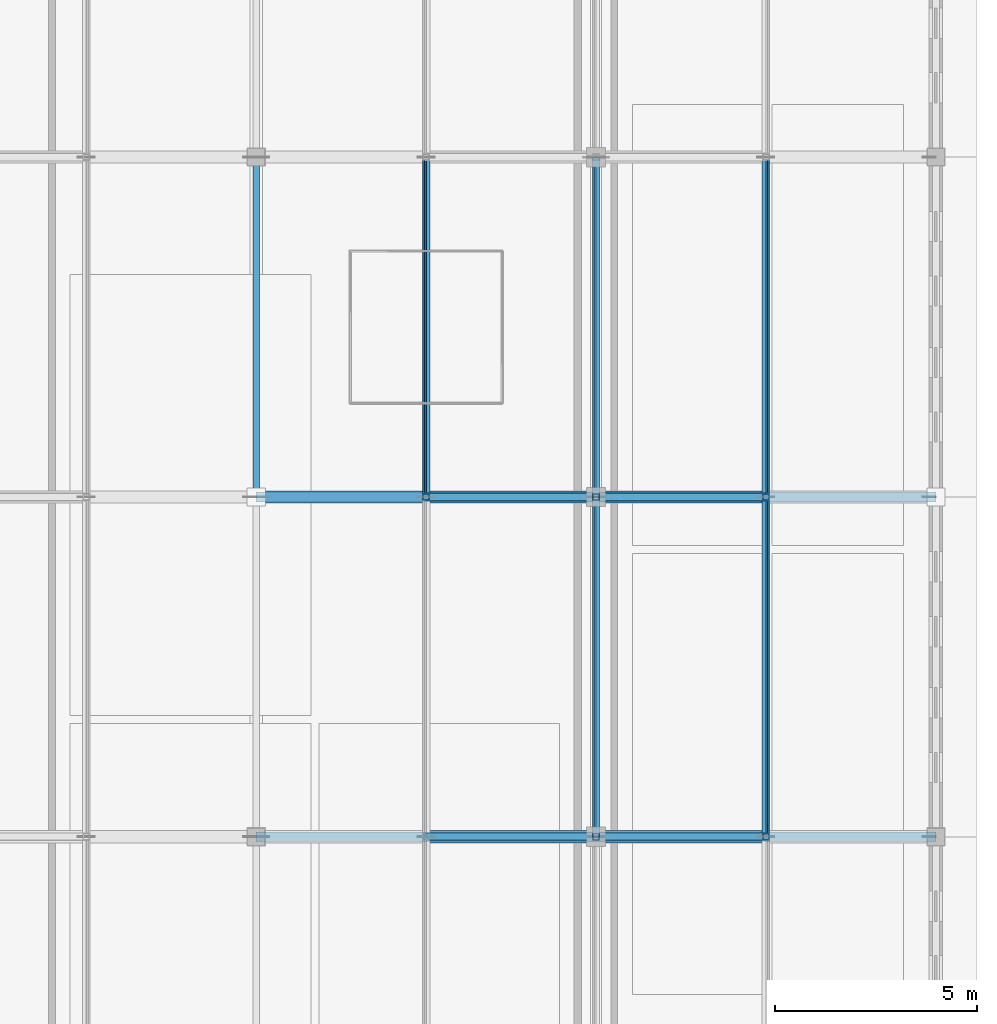
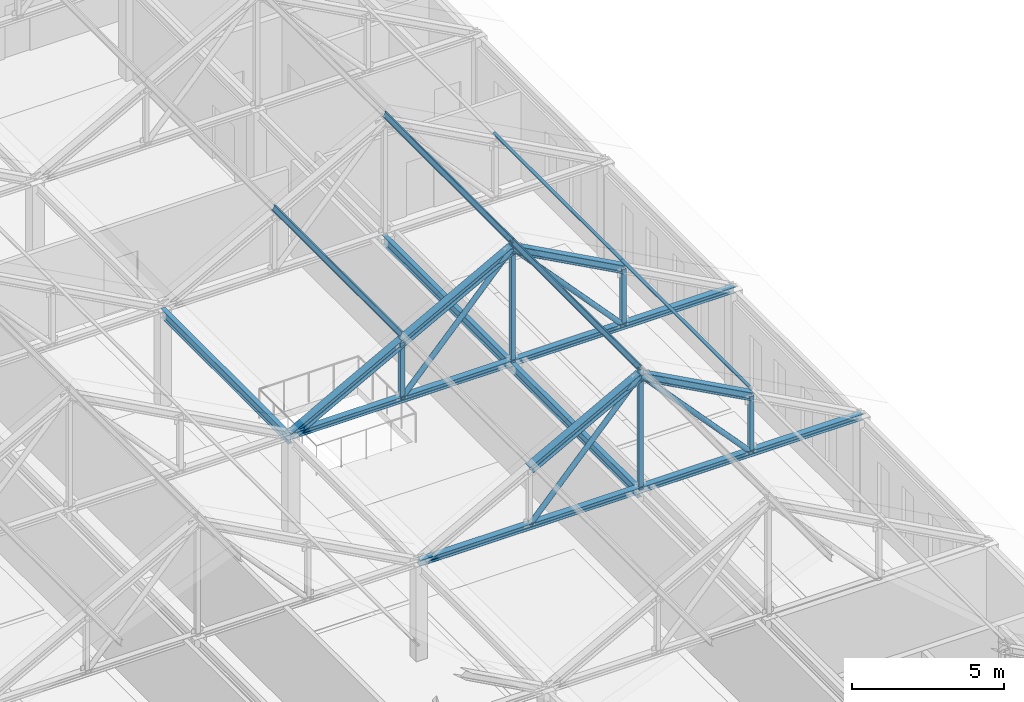
# One storey, part 8 of 36: 21 members, 3 beams.
"""IFC4 building model written with IfcOpenShell, lengths in metres."""

from ifc_helpers import new_model, si_unit, direction, frame, origin, origin_2d, place, context, subcontext, project, spatial, hollow_rectangle, hollow_circle, i_section, extrude, material, material_profile, profile_set, type_object, element, save


model = new_model("IFC4")

# Units and contexts
model_context = context("Model", 3, precision=1e-05, world=origin(), true_north=direction((0.0, 1.0)))
body_context = subcontext(model_context, "Body", "Model", "MODEL_VIEW")
ifc_project = project(units=[si_unit("LENGTHUNIT", "METRE"), si_unit("AREAUNIT", "SQUARE_METRE"), si_unit("VOLUMEUNIT", "CUBIC_METRE"), si_unit("PLANEANGLEUNIT", "RADIAN"), si_unit("MASSUNIT", "GRAM", prefix="KILO")], contexts=[model_context])

# Site, building, storey
site_placement = place(None, origin())
site = spatial("IfcSite", under=ifc_project, at=site_placement, CompositionType="ELEMENT")
building_placement = place(site_placement, origin())
building = spatial("IfcBuilding", under=site, at=building_placement, Name="Kveldsbrygga Polytechnic", CompositionType="ELEMENT")
storey_placement = place(building_placement, frame((0.0, 0.0, 26.179931640625)))
storey = spatial("IfcBuildingStorey", under=building, at=storey_placement, Name="L06", CompositionType="ELEMENT", Elevation=26.179931640625)

# Beams
ifc_material = material(Name="Steel S355", Category="steel")
ifc_material_profile_1 = material_profile(ifc_material, i_section(OverallWidth=0.169921875, OverallDepth=0.360107421875, WebThickness=0.008056640625, FlangeThickness=0.0126953125, FilletRadius=0.01806640625, at=origin_2d()), Name="IPE 360")
ifc_profile_set_1 = profile_set([ifc_material_profile_1], Name="Steel S355")
beam_type = type_object("IfcBeamType", Name="BM-STL-IPE360", PredefinedType="BEAM", material=ifc_profile_set_1)
beam_1_placement = place(storey_placement, frame((142.800048828125, 58.800048828125, 3.66015625), z_axis=(0.0, 1.0, 0.0), x_axis=(-1.0, 0.0, 0.0)))
element("IfcBeam", 1, at=beam_1_placement, inside=storey, type_object=beam_type, Name="Attic Eaves Tie Beam BMY-L06-TOP-17-07", PredefinedType="BEAM", context=body_context, shape_type="SweptSolid", body=[
    extrude(i_section(OverallWidth=0.169921875, OverallDepth=0.360107421875, WebThickness=0.008056640625, FlangeThickness=0.0126953125, FilletRadius=0.01806640625, at=origin_2d()), origin(), (0.0, 0.0, 1.0), 8.39990234375),
])
beam_2_placement = place(storey_placement, frame((151.199951171875, 50.39990234375, 3.66015625), z_axis=(0.0, 1.0, 0.0), x_axis=(-1.0, 0.0, 0.0)))
element("IfcBeam", 2, at=beam_2_placement, inside=storey, type_object=beam_type, Name="Attic Eaves Tie Beam BMY-L06-TOP-18-06", PredefinedType="BEAM", context=body_context, shape_type="SweptSolid", body=[
    extrude(i_section(OverallWidth=0.169921875, OverallDepth=0.360107421875, WebThickness=0.008056640625, FlangeThickness=0.0126953125, FilletRadius=0.01806640625, at=origin_2d()), origin(), (0.0, 0.0, 1.0), 8.400146484375),
])
beam_3_placement = place(storey_placement, frame((151.199951171875, 58.800048828125, 3.66015625), z_axis=(0.0, 1.0, 0.0), x_axis=(-1.0, 0.0, 0.0)))
element("IfcBeam", 3, at=beam_3_placement, inside=storey, type_object=beam_type, Name="Attic Eaves Tie Beam BMY-L06-TOP-18-07", PredefinedType="BEAM", context=body_context, shape_type="SweptSolid", body=[
    extrude(i_section(OverallWidth=0.169921875, OverallDepth=0.360107421875, WebThickness=0.008056640625, FlangeThickness=0.0126953125, FilletRadius=0.01806640625, at=origin_2d()), origin(), (0.0, 0.0, 1.0), 8.39990234375),
])

# Members
ifc_material_profile_2 = material_profile(ifc_material, i_section(OverallWidth=0.10009765625, OverallDepth=0.199951171875, WebThickness=0.005615234375, FlangeThickness=0.008544921875, FilletRadius=0.011962890625, at=origin_2d()), Name="IPE 200")
ifc_profile_set_2 = profile_set([ifc_material_profile_2], Name="Steel S355")
member_type_1 = type_object("IfcMemberType", Name="PRL-IPE200", PredefinedType="PURLIN", material=ifc_profile_set_2)
for number, where, z_axis, x_axis, name in (
    (4, (151.199951171875, 50.39990234375, 8.668701171875), (0.0, 1.0, 0.0), (-0.879292204483, 0.0, 0.476282709256), "Roof Purlin V4M2-PRL-5-2"),
    (5, (155.39990234375, 50.39990234375, 6.393798828125), (0.0, 1.0, 0.0), (-0.879292204483, 0.0, -0.476282709256), "Roof Purlin V4M2-PRL-5-3"),
):
    element("IfcMember", number, at=place(storey_placement, frame(where, z_axis=z_axis, x_axis=x_axis)), inside=storey, type_object=member_type_1, Name=name, PredefinedType="PURLIN", context=body_context, shape_type="SweptSolid", body=[
        extrude(i_section(OverallWidth=0.10009765625, OverallDepth=0.199951171875, WebThickness=0.005615234375, FlangeThickness=0.008544921875, FilletRadius=0.011962890625, at=origin_2d()), origin(), (0.0, 0.0, 1.0), 8.400146484375),
    ])
for number, where, z_axis, x_axis, name in (
    (6, (147.0, 58.800048828125, 6.393798828125), (0.0, 1.0, 0.0), (-0.879292204483, 0.0, 0.476282709256), "Roof Purlin V4M2-PRL-6-1"),
    (7, (151.199951171875, 58.800048828125, 8.668701171875), (0.0, 1.0, 0.0), (-0.879292204483, 0.0, 0.476282709256), "Roof Purlin V4M2-PRL-6-2"),
    (8, (155.39990234375, 58.800048828125, 6.393798828125), (0.0, 1.0, 0.0), (-0.879292204483, 0.0, -0.476282709256), "Roof Purlin V4M2-PRL-6-3"),
):
    element("IfcMember", number, at=place(storey_placement, frame(where, z_axis=z_axis, x_axis=x_axis)), inside=storey, type_object=member_type_1, Name=name, PredefinedType="PURLIN", context=body_context, shape_type="SweptSolid", body=[
        extrude(i_section(OverallWidth=0.10009765625, OverallDepth=0.199951171875, WebThickness=0.005615234375, FlangeThickness=0.008544921875, FilletRadius=0.011962890625, at=origin_2d()), origin(), (0.0, 0.0, 1.0), 8.39990234375),
    ])
ifc_material_profile_3 = material_profile(ifc_material, i_section(OverallWidth=0.239990234375, OverallDepth=0.22998046875, WebThickness=0.007568359375, FlangeThickness=0.011962890625, FilletRadius=0.02099609375, at=origin_2d()), Name="HEA 240")
ifc_profile_set_3 = profile_set([ifc_material_profile_3], Name="Steel S355")
member_type_2 = type_object("IfcMemberType", Name="TR-BOT-HEA240", PredefinedType="CHORD", material=ifc_profile_set_3)
for number, where, z_axis, x_axis, name in (
    (9, (142.800048828125, 50.39990234375, 3.840087890625), (1.0, 0.0, 0.0), (0.0, 1.0, 0.0), "Truss Bottom Chord V4M2-T05-BC-1"),
    (10, (142.800048828125, 58.800048828125, 3.840087890625), (1.0, 0.0, 0.0), (0.0, 1.0, 0.0), "Truss Bottom Chord V4M2-T06-BC-1"),
):
    element("IfcMember", number, at=place(storey_placement, frame(where, z_axis=z_axis, x_axis=x_axis)), inside=storey, type_object=member_type_2, Name=name, PredefinedType="CHORD", context=body_context, shape_type="SweptSolid", body=[
        extrude(i_section(OverallWidth=0.239990234375, OverallDepth=0.22998046875, WebThickness=0.007568359375, FlangeThickness=0.011962890625, FilletRadius=0.02099609375, at=origin_2d()), origin(), (0.0, 0.0, 1.0), 16.800048828125),
    ])
ifc_material_profile_4 = material_profile(ifc_material, hollow_circle(Radius=0.096923828125, WallThickness=0.010009765625, at=origin_2d()), Name="CHS 193.7x10.0")
ifc_profile_set_4 = profile_set([ifc_material_profile_4], Name="Steel S355")
member_type_3 = type_object("IfcMemberType", Name="TR-DIAG-CHS194", PredefinedType="BRACE", material=ifc_profile_set_4)
for number, where, z_axis, x_axis, name in (
    (11, (147.0, 50.39990234375, 3.840087890625), (0.678271914864, 0.0, 0.734811002576), (0.0, 1.0, 0.0), "Truss Diagonal V4M2-T05-DG-2"),
    (12, (151.199951171875, 50.39990234375, 8.39013671875), (0.678271914864, 0.0, -0.734811002576), (0.0, 1.0, 0.0), "Truss Diagonal V4M2-T05-DG-3"),
    (13, (147.0, 58.800048828125, 3.840087890625), (0.678271914864, 0.0, 0.734811002576), (0.0, 1.0, 0.0), "Truss Diagonal V4M2-T06-DG-2"),
    (14, (151.199951171875, 58.800048828125, 8.39013671875), (0.678271914864, 0.0, -0.734811002576), (0.0, 1.0, 0.0), "Truss Diagonal V4M2-T06-DG-3"),
):
    element("IfcMember", number, at=place(storey_placement, frame(where, z_axis=z_axis, x_axis=x_axis)), inside=storey, type_object=member_type_3, Name=name, PredefinedType="BRACE", context=body_context, shape_type="SweptSolid", body=[
        extrude(hollow_circle(Radius=0.096923828125, WallThickness=0.010009765625, at=origin_2d()), origin(), (0.0, 0.0, 1.0), 6.192138671875),
    ])
ifc_material_profile_5 = material_profile(ifc_material, hollow_rectangle(XDim=0.159912109375, YDim=0.159912109375, WallThickness=0.010009765625, at=origin_2d()), Name="SHS 160x160x10.0")
ifc_profile_set_5 = profile_set([ifc_material_profile_5], Name="Steel S355")
member_type_4 = type_object("IfcMemberType", Name="TR-POST-SHS160", PredefinedType="STRUT", material=ifc_profile_set_5)
member_1_placement = place(storey_placement, frame((151.199951171875, 50.39990234375, 3.840087890625), z_axis=(0.0, 0.0, 1.0), x_axis=(1.0, 0.0, 0.0)))
element("IfcMember", 15, at=member_1_placement, inside=storey, type_object=member_type_4, Name="Truss Vertical V4M2-T05-VT-2", PredefinedType="STRUT", context=body_context, shape_type="SweptSolid", body=[
    extrude(hollow_rectangle(XDim=0.159912109375, YDim=0.159912109375, WallThickness=0.010009765625, at=origin_2d()), origin(), (0.0, 0.0, 1.0), 4.82861328125),
])
for number, where, z_axis, x_axis, name in (
    (16, (155.39990234375, 50.39990234375, 3.840087890625), (0.0, 0.0, 1.0), (1.0, 0.0, 0.0), "Truss Vertical V4M2-T05-VT-3"),
    (17, (147.0, 58.800048828125, 3.840087890625), (0.0, 0.0, 1.0), (1.0, 0.0, 0.0), "Truss Vertical V4M2-T06-VT-1"),
):
    element("IfcMember", number, at=place(storey_placement, frame(where, z_axis=z_axis, x_axis=x_axis)), inside=storey, type_object=member_type_4, Name=name, PredefinedType="STRUT", context=body_context, shape_type="SweptSolid", body=[
        extrude(hollow_rectangle(XDim=0.159912109375, YDim=0.159912109375, WallThickness=0.010009765625, at=origin_2d()), origin(), (0.0, 0.0, 1.0), 2.27490234375),
    ])
member_2_placement = place(storey_placement, frame((151.199951171875, 58.800048828125, 3.840087890625), z_axis=(0.0, 0.0, 1.0), x_axis=(1.0, 0.0, 0.0)))
element("IfcMember", 18, at=member_2_placement, inside=storey, type_object=member_type_4, Name="Truss Vertical V4M2-T06-VT-2", PredefinedType="STRUT", context=body_context, shape_type="SweptSolid", body=[
    extrude(hollow_rectangle(XDim=0.159912109375, YDim=0.159912109375, WallThickness=0.010009765625, at=origin_2d()), origin(), (0.0, 0.0, 1.0), 4.82861328125),
])
member_3_placement = place(storey_placement, frame((155.39990234375, 58.800048828125, 3.840087890625), z_axis=(0.0, 0.0, 1.0), x_axis=(1.0, 0.0, 0.0)))
element("IfcMember", 19, at=member_3_placement, inside=storey, type_object=member_type_4, Name="Truss Vertical V4M2-T06-VT-3", PredefinedType="STRUT", context=body_context, shape_type="SweptSolid", body=[
    extrude(hollow_rectangle(XDim=0.159912109375, YDim=0.159912109375, WallThickness=0.010009765625, at=origin_2d()), origin(), (0.0, 0.0, 1.0), 2.27490234375),
])
ifc_material_profile_6 = material_profile(ifc_material, i_section(OverallWidth=0.300048828125, OverallDepth=0.2900390625, WebThickness=0.008544921875, FlangeThickness=0.013916015625, FilletRadius=0.027099609375, at=origin_2d()), Name="HEA 300")
ifc_profile_set_6 = profile_set([ifc_material_profile_6], Name="Steel S355")
member_type_5 = type_object("IfcMemberType", Name="TR-TOP-HEA300", PredefinedType="CHORD", material=ifc_profile_set_6)
for number, where, z_axis, x_axis, name in (
    (20, (147.0, 50.39990234375, 6.114990234375), (0.879276804059, 0.0, 0.476311139744), (0.0, 1.0, 0.0), "Truss Top Chord V4M2-T05-TC-2"),
    (21, (151.199951171875, 50.39990234375, 8.39013671875), (0.879276804059, 0.0, -0.476311139744), (0.0, 1.0, 0.0), "Truss Top Chord V4M2-T05-TC-3"),
):
    element("IfcMember", number, at=place(storey_placement, frame(where, z_axis=z_axis, x_axis=x_axis)), inside=storey, type_object=member_type_5, Name=name, PredefinedType="CHORD", context=body_context, shape_type="SweptSolid", body=[
        extrude(i_section(OverallWidth=0.300048828125, OverallDepth=0.2900390625, WebThickness=0.008544921875, FlangeThickness=0.013916015625, FilletRadius=0.027099609375, at=origin_2d()), origin(), (0.0, 0.0, 1.0), 4.776611328125),
    ])
member_4_placement = place(storey_placement, frame((142.800048828125, 58.800048828125, 3.840087890625), z_axis=(0.879298209803, 0.0, 0.47627162233), x_axis=(0.0, 1.0, 0.0)))
element("IfcMember", 22, at=member_4_placement, inside=storey, type_object=member_type_5, Name="Truss Top Chord V4M2-T06-TC-1", PredefinedType="CHORD", context=body_context, shape_type="SweptSolid", body=[
    extrude(i_section(OverallWidth=0.300048828125, OverallDepth=0.2900390625, WebThickness=0.008544921875, FlangeThickness=0.013916015625, FilletRadius=0.027099609375, at=origin_2d()), origin(), (0.0, 0.0, 1.0), 4.7763671875),
])
for number, where, z_axis, x_axis, name in (
    (23, (147.0, 58.800048828125, 6.114990234375), (0.879276804059, 0.0, 0.476311139744), (0.0, 1.0, 0.0), "Truss Top Chord V4M2-T06-TC-2"),
    (24, (151.199951171875, 58.800048828125, 8.39013671875), (0.879276804059, 0.0, -0.476311139744), (0.0, 1.0, 0.0), "Truss Top Chord V4M2-T06-TC-3"),
):
    element("IfcMember", number, at=place(storey_placement, frame(where, z_axis=z_axis, x_axis=x_axis)), inside=storey, type_object=member_type_5, Name=name, PredefinedType="CHORD", context=body_context, shape_type="SweptSolid", body=[
        extrude(i_section(OverallWidth=0.300048828125, OverallDepth=0.2900390625, WebThickness=0.008544921875, FlangeThickness=0.013916015625, FilletRadius=0.027099609375, at=origin_2d()), origin(), (0.0, 0.0, 1.0), 4.776611328125),
    ])

save(model, "model.ifc")
